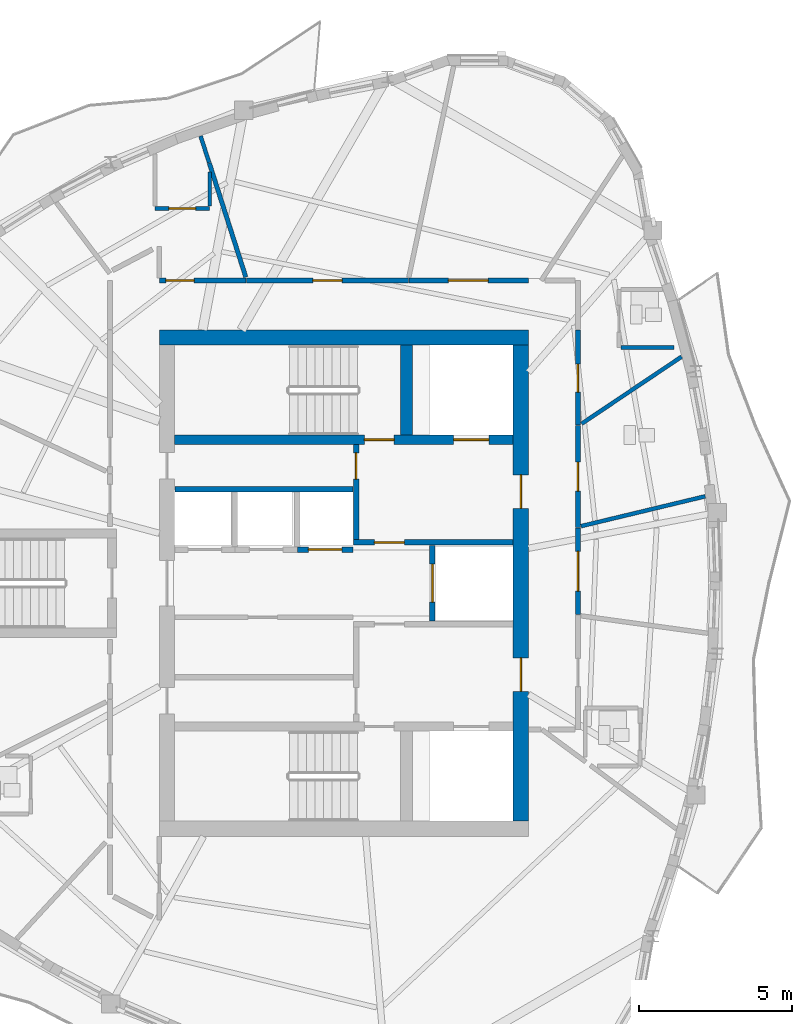
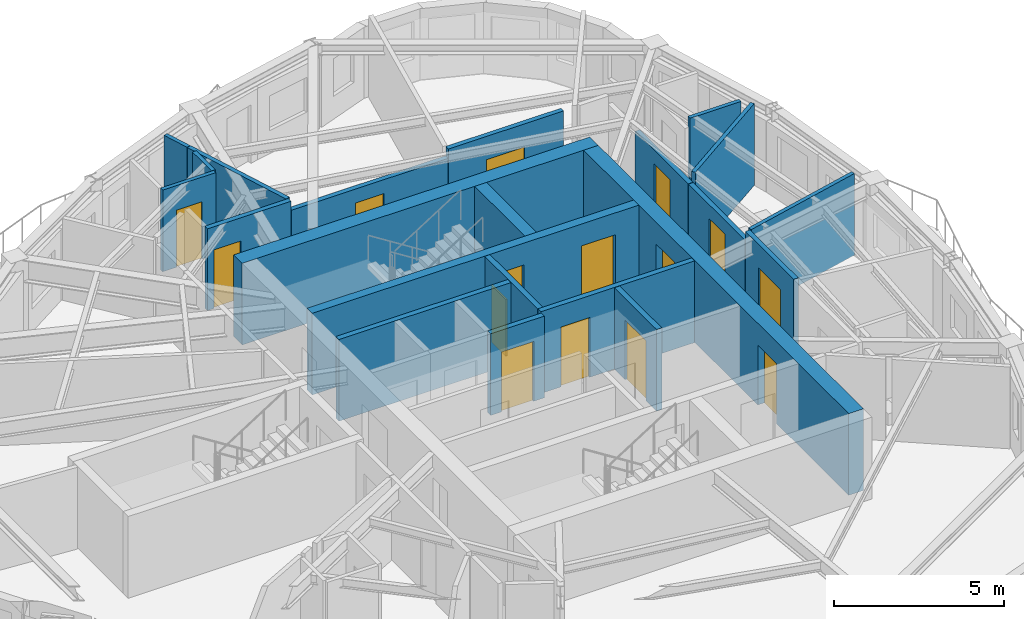
# One storey, part 6 of 12: 22 walls, 15 doors, 15 openings.
"""IFC4 building model written with IfcOpenShell, lengths in metres."""

from ifc_helpers import new_model, si_unit, direction, frame, frame_2d, origin, place, context, subcontext, project, spatial, rectangle, extrude, source, transform, mapped, material, layer, layer_set, type_object, element, fill, save


model = new_model("IFC4")

# Units and contexts
model_context = context("Model", 3, precision=1e-05, world=origin(), true_north=direction((0.0, 1.0)))
body_context = subcontext(model_context, "Body", "Model", "MODEL_VIEW")
ifc_project = project(units=[si_unit("LENGTHUNIT", "METRE"), si_unit("AREAUNIT", "SQUARE_METRE"), si_unit("VOLUMEUNIT", "CUBIC_METRE"), si_unit("PLANEANGLEUNIT", "RADIAN"), si_unit("MASSUNIT", "GRAM", prefix="KILO")], contexts=[model_context])

# Site, building, storey
site_placement = place(None, origin())
site = spatial("IfcSite", under=ifc_project, at=site_placement, CompositionType="ELEMENT")
building_placement = place(site_placement, origin())
building = spatial("IfcBuilding", under=site, at=building_placement, Name="Qafzar Sky-Pleat Residences", CompositionType="ELEMENT")
storey_placement = place(building_placement, frame((0.0, 0.0, 202.0)))
storey = spatial("IfcBuildingStorey", under=building, at=storey_placement, Name="L60", CompositionType="ELEMENT", Elevation=202.0)

# Wall, opening, door
ifc_material_1 = material(Name="Acoustic gypsum plasterboard partition", Category="gypsum")
ifc_layer_1 = layer(ifc_material_1, 0.159912109375)
ifc_layer_set_1 = layer_set([ifc_layer_1], Name="Acoustic gypsum plasterboard partition")
wall_type_1 = type_object("IfcWallType", Name="PART-COR-160", PredefinedType="PARTITIONING", material=ifc_layer_set_1)
wall_1_placement = place(storey_placement, frame((27.156005859375, 35.919921875, 0.0), z_axis=(0.0, 0.0, 1.0), x_axis=(1.0, 0.0, 0.0)))
wall_1 = element("IfcWall", 1, at=wall_1_placement, inside=storey, type_object=wall_type_1, Name="L60 Partition Wall PART-L60-PW-001", PredefinedType="PARTITIONING", context=body_context, shape_type="SweptSolid", body=[
    extrude(rectangle(XDim=5.31591796875, YDim=0.159912109375, at=frame_2d((2.657958984375, 0.0))), origin(), (0.0, 0.0, 1.0), 2.60302734375),
])
opening_1_placement = place(wall_1_placement, frame((2.177978515625, 0.0, 0.0)))
opening_1 = element("IfcOpeningElement", 2, at=opening_1_placement, cuts=wall_1, Name="Opening ID-06", PredefinedType="OPENING", context=body_context, shape_type="SweptSolid", body=[
    extrude(rectangle(XDim=0.9599609375, YDim=2.10009765625, at=frame_2d((0.47998046875, 1.050048828125))), frame((0.0, 0.08984375, 0.0), z_axis=(0.0, -1.0, 0.0), x_axis=(1.0, 0.0, 0.0)), (0.0, 0.0, 1.0), 0.179931640625),
])
ifc_material_2 = material(Name="Timber-faced fire door", Category="wood")
door_type_1 = type_object("IfcDoorType", Name="DR-STD-960", OperationType="NOTDEFINED", PredefinedType="DOOR", material=ifc_material_2)
shared_shape_1 = source(origin(), body_context, "Body", "SweptSolid", [
    extrude(rectangle(XDim=0.9599609375, YDim=2.10009765625, at=frame_2d((0.47998046875, 1.050048828125))), frame((0.0, 0.02490234375, 0.0), z_axis=(0.0, -1.0, 0.0), x_axis=(1.0, 0.0, 0.0)), (0.0, 0.0, 1.0), 0.050048828125),
])
door_1_placement = place(opening_1_placement, origin())
door_1 = element("IfcDoor", 3, at=door_1_placement, inside=storey, type_object=door_type_1, Name="L60 Music Practice Room Door", OperationType="SINGLE_SWING_RIGHT", OverallHeight=2.10009765625, OverallWidth=0.9599609375, PredefinedType="DOOR", context=body_context, shape_type="MappedRepresentation", body=[
    mapped(shared_shape_1, transform((0.0, 0.0, 0.0), x_axis=(1.0, 0.0, 0.0), y_axis=(0.0, 1.0, 0.0), z_axis=(0.0, 0.0, 1.0), scale=1.0)),
])
fill(opening_1, door_1)

wall_2_placement = place(storey_placement, frame((32.487060546875, 35.919921875, 0.0), z_axis=(0.0, 0.0, 1.0), x_axis=(1.0, 0.0, 0.0)))
wall_2 = element("IfcWall", 4, at=wall_2_placement, inside=storey, type_object=wall_type_1, Name="L60 Partition Wall PART-L60-PW-004", PredefinedType="PARTITIONING", context=body_context, shape_type="SweptSolid", body=[
    extrude(rectangle(XDim=3.912841796875, YDim=0.159912109375, at=frame_2d((1.95654296875, 0.0))), origin(), (0.0, 0.0, 1.0), 2.93505859375),
])
opening_2_placement = place(wall_2_placement, frame((1.291015625, 0.0, 0.0)))
opening_2 = element("IfcOpeningElement", 5, at=opening_2_placement, cuts=wall_2, Name="Opening ID-05", PredefinedType="OPENING", context=body_context, shape_type="SweptSolid", body=[
    extrude(rectangle(XDim=1.300048828125, YDim=2.10009765625, at=frame_2d((0.64990234375, 1.050048828125))), frame((0.0, 0.08984375, 0.0), z_axis=(0.0, -1.0, 0.0), x_axis=(1.0, 0.0, 0.0)), (0.0, 0.0, 1.0), 0.179931640625),
])
door_type_2 = type_object("IfcDoorType", Name="DR-LNG-1300", OperationType="DOUBLE_DOOR_SINGLE_SWING", PredefinedType="DOOR", material=ifc_material_2)
shared_shape_2 = source(origin(), body_context, "Body", "SweptSolid", [
    extrude(rectangle(XDim=1.300048828125, YDim=2.10009765625, at=frame_2d((0.64990234375, 1.050048828125))), frame((0.0, 0.02490234375, 0.0), z_axis=(0.0, -1.0, 0.0), x_axis=(1.0, 0.0, 0.0)), (0.0, 0.0, 1.0), 0.050048828125),
])
door_2_placement = place(opening_2_placement, origin())
door_2 = element("IfcDoor", 6, at=door_2_placement, inside=storey, type_object=door_type_2, Name="L60 Co-Living Lounge Door", OperationType="DOUBLE_DOOR_SINGLE_SWING", OverallHeight=2.10009765625, OverallWidth=1.300048828125, PredefinedType="DOOR", context=body_context, shape_type="MappedRepresentation", body=[
    mapped(shared_shape_2, transform((0.0, 0.0, 0.0), x_axis=(1.0, 0.0, 0.0), y_axis=(0.0, 1.0, 0.0), z_axis=(0.0, 0.0, 1.0), scale=1.0)),
])
fill(opening_2, door_2)

wall_3_placement = place(storey_placement, frame((38.02001953125, 31.160888671875, 0.0), z_axis=(0.0, 0.0, 1.0), x_axis=(0.0, -1.0, 0.0)))
wall_3 = element("IfcWall", 7, at=wall_3_placement, inside=storey, type_object=wall_type_1, Name="L60 Partition Wall PART-L60-PW-006", PredefinedType="PARTITIONING", context=body_context, shape_type="SweptSolid", body=[
    extrude(rectangle(XDim=3.3330078125, YDim=0.159912109375, at=frame_2d((1.66650390625, 0.0))), origin(), (0.0, 0.0, 1.0), 2.60302734375),
])
opening_3_placement = place(wall_3_placement, frame((1.193115234375, 0.0, 0.0)))
opening_3 = element("IfcOpeningElement", 8, at=opening_3_placement, cuts=wall_3, Name="Opening ID-08", PredefinedType="OPENING", context=body_context, shape_type="SweptSolid", body=[
    extrude(rectangle(XDim=0.949951171875, YDim=2.10009765625, at=frame_2d((0.47509765625, 1.050048828125))), frame((0.0, 0.08984375, 0.0), z_axis=(0.0, -1.0, 0.0), x_axis=(1.0, 0.0, 0.0)), (0.0, 0.0, 1.0), 0.179931640625),
])
door_type_3 = type_object("IfcDoorType", Name="DR-AWC-950", OperationType="NOTDEFINED", PredefinedType="DOOR", material=ifc_material_2)
shared_shape_3 = source(origin(), body_context, "Body", "SweptSolid", [
    extrude(rectangle(XDim=0.949951171875, YDim=2.10009765625, at=frame_2d((0.47509765625, 1.050048828125))), frame((0.0, 0.02490234375, 0.0), z_axis=(0.0, -1.0, 0.0), x_axis=(1.0, 0.0, 0.0)), (0.0, 0.0, 1.0), 0.050048828125),
])
door_3_placement = place(opening_3_placement, origin())
door_3 = element("IfcDoor", 9, at=door_3_placement, inside=storey, type_object=door_type_3, Name="L60 Accessible Shared Washroom Door", OperationType="SINGLE_SWING_RIGHT", OverallHeight=2.10009765625, OverallWidth=0.949951171875, PredefinedType="DOOR", context=body_context, shape_type="MappedRepresentation", body=[
    mapped(shared_shape_3, transform((0.0, 0.0, 0.0), x_axis=(1.0, 0.0, 0.0), y_axis=(0.0, 1.0, 0.0), z_axis=(0.0, 0.0, 1.0), scale=1.0)),
])
fill(opening_3, door_3)

wall_4_placement = place(storey_placement, frame((38.02001953125, 34.300048828125, 0.0), z_axis=(0.0, 0.0, 1.0), x_axis=(0.0, -1.0, 0.0)))
wall_4 = element("IfcWall", 10, at=wall_4_placement, inside=storey, type_object=wall_type_1, Name="L60 Partition Wall PART-L60-PW-007", PredefinedType="PARTITIONING", context=body_context, shape_type="SweptSolid", body=[
    extrude(rectangle(XDim=3.1240234375, YDim=0.159912109375, at=frame_2d((1.56201171875, 0.0))), origin(), (0.0, 0.0, 1.0), 2.60302734375),
])
opening_4_placement = place(wall_4_placement, frame((1.118408203125, 0.0, 0.0)))
opening_4 = element("IfcOpeningElement", 11, at=opening_4_placement, cuts=wall_4, Name="Opening ID-04", PredefinedType="OPENING", context=body_context, shape_type="SweptSolid", body=[
    extrude(rectangle(XDim=0.919921875, YDim=2.10009765625, at=frame_2d((0.4599609375, 1.050048828125))), frame((0.0, 0.08984375, 0.0), z_axis=(0.0, -1.0, 0.0), x_axis=(1.0, 0.0, 0.0)), (0.0, 0.0, 1.0), 0.179931640625),
])
door_type_4 = type_object("IfcDoorType", Name="DR-BED-920", OperationType="NOTDEFINED", PredefinedType="DOOR", material=ifc_material_2)
shared_shape_4 = source(origin(), body_context, "Body", "SweptSolid", [
    extrude(rectangle(XDim=0.919921875, YDim=2.10009765625, at=frame_2d((0.4599609375, 1.050048828125))), frame((0.0, 0.02490234375, 0.0), z_axis=(0.0, -1.0, 0.0), x_axis=(1.0, 0.0, 0.0)), (0.0, 0.0, 1.0), 0.050048828125),
])
door_4_placement = place(opening_4_placement, origin())
door_4 = element("IfcDoor", 12, at=door_4_placement, inside=storey, type_object=door_type_4, Name="L60 Co-Living Bedroom 3 Door", OperationType="SINGLE_SWING_LEFT", OverallHeight=2.10009765625, OverallWidth=0.919921875, PredefinedType="DOOR", context=body_context, shape_type="MappedRepresentation", body=[
    mapped(shared_shape_4, transform((0.0, 0.0, 0.0), x_axis=(1.0, 0.0, 0.0), y_axis=(0.0, 1.0, 0.0), z_axis=(0.0, 0.0, 1.0), scale=1.0)),
])
fill(opening_4, door_4)

wall_5_placement = place(storey_placement, frame((24.300048828125, 35.919921875, 0.0), z_axis=(0.0, 0.0, 1.0), x_axis=(1.0, 0.0, 0.0)))
wall_5 = element("IfcWall", 13, at=wall_5_placement, inside=storey, type_object=wall_type_1, Name="L60 Partition Wall PART-L60-PW-008", PredefinedType="PARTITIONING", context=body_context, shape_type="SweptSolid", body=[
    extrude(rectangle(XDim=2.841064453125, YDim=0.159912109375, at=frame_2d((1.42041015625, 0.0))), origin(), (0.0, 0.0, 1.0), 2.93505859375),
])
opening_5_placement = place(wall_5_placement, frame((0.219970703125, 0.0, 0.0)))
opening_5 = element("IfcOpeningElement", 14, at=opening_5_placement, cuts=wall_5, Name="Opening ID-04", PredefinedType="OPENING", context=body_context, shape_type="SweptSolid", body=[
    extrude(rectangle(XDim=0.919921875, YDim=2.10009765625, at=frame_2d((0.4599609375, 1.050048828125))), frame((0.0, 0.08984375, 0.0), z_axis=(0.0, -1.0, 0.0), x_axis=(1.0, 0.0, 0.0)), (0.0, 0.0, 1.0), 0.179931640625),
])
door_5_placement = place(opening_5_placement, origin())
door_5 = element("IfcDoor", 15, at=door_5_placement, inside=storey, type_object=door_type_4, Name="L60 Co-Living Bedroom 4 Door", OperationType="SINGLE_SWING_RIGHT", OverallHeight=2.10009765625, OverallWidth=0.919921875, PredefinedType="DOOR", context=body_context, shape_type="MappedRepresentation", body=[
    mapped(shared_shape_4, transform((0.0, 0.0, 0.0), x_axis=(1.0, 0.0, 0.0), y_axis=(0.0, 1.0, 0.0), z_axis=(0.0, 0.0, 1.0), scale=1.0)),
])
fill(opening_5, door_5)

wall_6_placement = place(storey_placement, frame((38.02001953125, 27.81298828125, 0.0), z_axis=(0.0, 0.0, 1.0), x_axis=(0.0, -1.0, 0.0)))
wall_6 = element("IfcWall", 16, at=wall_6_placement, inside=storey, type_object=wall_type_1, Name="L60 Partition Wall PART-L60-PW-009", PredefinedType="PARTITIONING", context=body_context, shape_type="SweptSolid", body=[
    extrude(rectangle(XDim=2.8388671875, YDim=0.159912109375, at=frame_2d((1.41943359375, 0.0))), origin(), (0.0, 0.0, 1.0), 2.93505859375),
])
opening_6_placement = place(wall_6_placement, frame((0.77001953125, 0.0, 0.0)))
opening_6 = element("IfcOpeningElement", 17, at=opening_6_placement, cuts=wall_6, Name="Opening ID-05", PredefinedType="OPENING", context=body_context, shape_type="SweptSolid", body=[
    extrude(rectangle(XDim=1.300048828125, YDim=2.10009765625, at=frame_2d((0.64990234375, 1.050048828125))), frame((0.0, 0.08984375, 0.0), z_axis=(0.0, -1.0, 0.0), x_axis=(1.0, 0.0, 0.0)), (0.0, 0.0, 1.0), 0.179931640625),
])
door_6_placement = place(opening_6_placement, origin())
door_6 = element("IfcDoor", 18, at=door_6_placement, inside=storey, type_object=door_type_2, Name="L60 Communal Kitchen Door", OperationType="DOUBLE_DOOR_SINGLE_SWING", OverallHeight=2.10009765625, OverallWidth=1.300048828125, PredefinedType="DOOR", context=body_context, shape_type="MappedRepresentation", body=[
    mapped(shared_shape_2, transform((0.0, 0.0, 0.0), x_axis=(1.0, 0.0, 0.0), y_axis=(0.0, 1.0, 0.0), z_axis=(0.0, 0.0, 1.0), scale=1.0)),
])
fill(opening_6, door_6)

ifc_material_3 = material(Name="Concrete blockwork partition", Category="masonry")
ifc_layer_2 = layer(ifc_material_3, 0.179931640625)
ifc_layer_set_2 = layer_set([ifc_layer_2], Name="Concrete blockwork partition")
wall_type_2 = type_object("IfcWallType", Name="PART-SHAFT-180", PredefinedType="PARTITIONING", material=ifc_layer_set_2)
wall_7_placement = place(storey_placement, frame((30.75, 27.429931640625, 0.0), z_axis=(0.0, 0.0, 1.0), x_axis=(0.0, 1.0, 0.0)))
wall_7 = element("IfcWall", 19, at=wall_7_placement, inside=storey, type_object=wall_type_2, Name="L60 Partition Wall PART-L60-FFL2-W", PredefinedType="PARTITIONING", context=body_context, shape_type="SweptSolid", body=[
    extrude(rectangle(XDim=3.110107421875, YDim=0.179931640625, at=frame_2d((1.55517578125, 0.0))), origin(), (0.0, 0.0, 1.0), 2.93505859375),
])
opening_7_placement = place(wall_7_placement, frame((1.97998046875, 0.0, 0.0)))
opening_7 = element("IfcOpeningElement", 20, at=opening_7_placement, cuts=wall_7, Name="Opening ID-09", PredefinedType="OPENING", context=body_context, shape_type="SweptSolid", body=[
    extrude(rectangle(XDim=0.860107421875, YDim=2.050048828125, at=frame_2d((0.43017578125, 1.02490234375))), frame((0.0, 0.10009765625, 0.0), z_axis=(0.0, -1.0, 0.0), x_axis=(1.0, 0.0, 0.0)), (0.0, 0.0, 1.0), 0.199951171875),
])
door_type_5 = type_object("IfcDoorType", Name="DR-SVC-860", OperationType="NOTDEFINED", PredefinedType="DOOR", material=ifc_material_2)
shared_shape_5 = source(origin(), body_context, "Body", "SweptSolid", [
    extrude(rectangle(XDim=0.860107421875, YDim=2.050048828125, at=frame_2d((0.43017578125, 1.02490234375))), frame((0.0, 0.02490234375, 0.0), z_axis=(0.0, -1.0, 0.0), x_axis=(1.0, 0.0, 0.0)), (0.0, 0.0, 1.0), 0.050048828125),
])
door_7_placement = place(opening_7_placement, origin())
door_7 = element("IfcDoor", 21, at=door_7_placement, inside=storey, type_object=door_type_5, Name="L60 North Core Cupboard Door", OperationType="SINGLE_SWING_LEFT", OverallHeight=2.050048828125, OverallWidth=0.860107421875, PredefinedType="DOOR", context=body_context, shape_type="MappedRepresentation", body=[
    mapped(shared_shape_5, transform((0.0, 0.0, 0.0), x_axis=(1.0, 0.0, 0.0), y_axis=(0.0, 1.0, 0.0), z_axis=(0.0, 0.0, 1.0), scale=1.0)),
])
fill(opening_7, door_7)

wall_8_placement = place(storey_placement, frame((30.669921875, 27.340087890625, 0.0), z_axis=(0.0, 0.0, 1.0), x_axis=(1.0, 0.0, 0.0)))
wall_8 = element("IfcWall", 22, at=wall_8_placement, inside=storey, type_object=wall_type_2, Name="L60 Partition Wall PART-L60-FFL2-S", PredefinedType="PARTITIONING", context=body_context, shape_type="SweptSolid", body=[
    extrude(rectangle(XDim=5.219970703125, YDim=0.179931640625, at=frame_2d((2.60986328125, 0.0))), origin(), (0.0, 0.0, 1.0), 2.93505859375),
])
opening_8_placement = place(wall_8_placement, frame((0.679931640625, 0.0, 0.0)))
opening_8 = element("IfcOpeningElement", 23, at=opening_8_placement, cuts=wall_8, Name="Opening ID-01", PredefinedType="OPENING", context=body_context, shape_type="SweptSolid", body=[
    extrude(rectangle(XDim=0.97998046875, YDim=2.14990234375, at=frame_2d((0.489990234375, 1.074951171875))), frame((0.0, 0.10009765625, 0.0), z_axis=(0.0, -1.0, 0.0), x_axis=(1.0, 0.0, 0.0)), (0.0, 0.0, 1.0), 0.199951171875),
])
door_type_6 = type_object("IfcDoorType", Name="DR-STAIR-980", OperationType="NOTDEFINED", PredefinedType="DOOR", material=ifc_material_2)
shared_shape_6 = source(origin(), body_context, "Body", "SweptSolid", [
    extrude(rectangle(XDim=0.97998046875, YDim=2.14990234375, at=frame_2d((0.489990234375, 1.074951171875))), frame((0.0, 0.02490234375, 0.0), z_axis=(0.0, -1.0, 0.0), x_axis=(1.0, 0.0, 0.0)), (0.0, 0.0, 1.0), 0.050048828125),
])
door_8_placement = place(opening_8_placement, origin())
door_8 = element("IfcDoor", 24, at=door_8_placement, inside=storey, type_object=door_type_6, Name="L60 Lift Lobby to North Firefighting Lobby Door", OperationType="SINGLE_SWING_RIGHT", OverallHeight=2.14990234375, OverallWidth=0.97998046875, PredefinedType="DOOR", context=body_context, shape_type="MappedRepresentation", body=[
    mapped(shared_shape_6, transform((0.0, 0.0, 0.0), x_axis=(1.0, 0.0, 0.0), y_axis=(0.0, 1.0, 0.0), z_axis=(0.0, 0.0, 1.0), scale=1.0)),
])
fill(opening_8, door_8)

wall_9_placement = place(storey_placement, frame((33.25, 24.760009765625, 0.0), z_axis=(0.0, 0.0, 1.0), x_axis=(0.0, 1.0, 0.0)))
wall_9 = element("IfcWall", 25, at=wall_9_placement, inside=storey, type_object=wall_type_2, Name="L60 Partition Wall PART-L60-SV1-W", PredefinedType="PARTITIONING", context=body_context, shape_type="SweptSolid", body=[
    extrude(rectangle(XDim=2.47998046875, YDim=0.179931640625, at=frame_2d((1.239990234375, 0.0))), origin(), (0.0, 0.0, 1.0), 2.93505859375),
])
opening_9_placement = place(wall_9_placement, frame((0.614990234375, 0.0, 0.0)))
opening_9 = element("IfcOpeningElement", 26, at=opening_9_placement, cuts=wall_9, Name="Opening LD-03", PredefinedType="OPENING", context=body_context, shape_type="SweptSolid", body=[
    extrude(rectangle(XDim=1.25, YDim=2.14990234375, at=frame_2d((0.625, 1.074951171875))), frame((0.0, 0.10009765625, 0.0), z_axis=(0.0, -1.0, 0.0), x_axis=(1.0, 0.0, 0.0)), (0.0, 0.0, 1.0), 0.199951171875),
])
ifc_material_4 = material(Name="Stainless steel sliding landing door", Category="steel")
door_type_7 = type_object("IfcDoorType", Name="DR-LIFT-SV", OperationType="DOUBLE_DOOR_SLIDING", PredefinedType="DOOR", material=ifc_material_4)
shared_shape_7 = source(origin(), body_context, "Body", "SweptSolid", [
    extrude(rectangle(XDim=1.25, YDim=2.14990234375, at=frame_2d((0.625, 1.074951171875))), frame((0.0, 0.02490234375, 0.0), z_axis=(0.0, -1.0, 0.0), x_axis=(1.0, 0.0, 0.0)), (0.0, 0.0, 1.0), 0.050048828125),
])
door_9_placement = place(opening_9_placement, origin())
door_9 = element("IfcDoor", 27, at=door_9_placement, inside=storey, type_object=door_type_7, Name="L60 Service Lift SV1 Landing Door", OperationType="DOUBLE_DOOR_SLIDING", OverallHeight=2.14990234375, OverallWidth=1.25, PredefinedType="DOOR", context=body_context, shape_type="MappedRepresentation", body=[
    mapped(shared_shape_7, transform((0.0, 0.0, 0.0), x_axis=(1.0, 0.0, 0.0), y_axis=(0.0, 1.0, 0.0), z_axis=(0.0, 0.0, 1.0), scale=1.0)),
])
fill(opening_9, door_9)

# Wall
wall_10_placement = place(storey_placement, frame((24.81005859375, 29.080078125, 0.0), z_axis=(0.0, 0.0, 1.0), x_axis=(1.0, 0.0, 0.0)))
element("IfcWall", 28, at=wall_10_placement, inside=storey, type_object=wall_type_2, Name="L60 Partition Wall PART-L60-P46-N", PredefinedType="PARTITIONING", context=body_context, shape_type="SweptSolid", body=[
    extrude(rectangle(XDim=5.83984375, YDim=0.179931640625, at=frame_2d((2.919921875, 0.0))), origin(), (0.0, 0.0, 1.0), 2.93505859375),
])

# Wall, opening, door
wall_11_placement = place(storey_placement, frame((28.824951171875, 27.10009765625, 0.0), z_axis=(0.0, 0.0, 1.0), x_axis=(1.0, 0.0, 0.0)))
wall_11 = element("IfcWall", 29, at=wall_11_placement, inside=storey, type_object=wall_type_2, Name="L60 Partition Wall PART-L60-P6-S", PredefinedType="PARTITIONING", context=body_context, shape_type="SweptSolid", body=[
    extrude(rectangle(XDim=1.824951171875, YDim=0.179931640625, at=frame_2d((0.91259765625, 0.0))), origin(), (0.0, 0.0, 1.0), 2.93505859375),
])
opening_10_placement = place(wall_11_placement, frame((0.362548828125, 0.0, 0.0)))
opening_10 = element("IfcOpeningElement", 30, at=opening_10_placement, cuts=wall_11, Name="Opening LD-01", PredefinedType="OPENING", context=body_context, shape_type="SweptSolid", body=[
    extrude(rectangle(XDim=1.10009765625, YDim=2.14990234375, at=frame_2d((0.550048828125, 1.074951171875))), frame((0.0, 0.10009765625, 0.0), z_axis=(0.0, -1.0, 0.0), x_axis=(1.0, 0.0, 0.0)), (0.0, 0.0, 1.0), 0.199951171875),
])
door_type_8 = type_object("IfcDoorType", Name="DR-LIFT-P", OperationType="DOUBLE_DOOR_SLIDING", PredefinedType="DOOR", material=ifc_material_4)
shared_shape_8 = source(origin(), body_context, "Body", "SweptSolid", [
    extrude(rectangle(XDim=1.10009765625, YDim=2.14990234375, at=frame_2d((0.550048828125, 1.074951171875))), frame((0.0, 0.02490234375, 0.0), z_axis=(0.0, -1.0, 0.0), x_axis=(1.0, 0.0, 0.0)), (0.0, 0.0, 1.0), 0.050048828125),
])
door_10_placement = place(opening_10_placement, origin())
door_10 = element("IfcDoor", 31, at=door_10_placement, inside=storey, type_object=door_type_8, Name="L60 Passenger Lift P6 Landing Door", OperationType="DOUBLE_DOOR_SLIDING", OverallHeight=2.14990234375, OverallWidth=1.10009765625, PredefinedType="DOOR", context=body_context, shape_type="MappedRepresentation", body=[
    mapped(shared_shape_8, transform((0.0, 0.0, 0.0), x_axis=(1.0, 0.0, 0.0), y_axis=(0.0, 1.0, 0.0), z_axis=(0.0, 0.0, 1.0), scale=1.0)),
])
fill(opening_10, door_10)

# Wall
ifc_layer_3 = layer(ifc_material_1, 0.14501953125)
ifc_layer_set_3 = layer_set([ifc_layer_3], Name="Acoustic gypsum plasterboard partition")
wall_type_3 = type_object("IfcWallType", Name="PART-UNIT-145", PredefinedType="PARTITIONING", material=ifc_layer_set_3)
wall_12_placement = place(storey_placement, frame((25.93896484375, 39.76708984375, 0.0), z_axis=(0.0, 0.0, 1.0), x_axis=(0.305195538028, -0.952289705693, 0.0)))
element("IfcWall", 32, at=wall_12_placement, inside=storey, type_object=wall_type_3, Name="L60 Partition Wall PART-L60-PW-026", PredefinedType="PARTITIONING", context=body_context, shape_type="SweptSolid", body=[
    extrude(rectangle(XDim=3.924560546875, YDim=0.14501953125, at=frame_2d((1.96240234375, 0.0))), origin(), (0.0, 0.0, 1.0), 2.93505859375),
])

# Wall, opening, door
ifc_material_5 = material(Name="Moisture-resistant gypsum partition", Category="gypsum")
ifc_layer_4 = layer(ifc_material_5, 0.1298828125)
ifc_layer_set_4 = layer_set([ifc_layer_4], Name="Moisture-resistant gypsum partition")
wall_type_4 = type_object("IfcWallType", Name="PART-WET-130", PredefinedType="PARTITIONING", material=ifc_layer_set_4)
wall_13_placement = place(storey_placement, frame((24.154052734375, 38.281982421875, 0.0), z_axis=(0.0, 0.0, 1.0), x_axis=(1.0, 0.0, 0.0)))
wall_13 = element("IfcWall", 33, at=wall_13_placement, inside=storey, type_object=wall_type_4, Name="L60 Partition Wall PART-L60-PW-016", PredefinedType="PARTITIONING", context=body_context, shape_type="SweptSolid", body=[
    extrude(rectangle(XDim=1.800048828125, YDim=0.1298828125, at=frame_2d((0.89990234375, 0.0))), origin(), (0.0, 0.0, 1.0), 2.93505859375),
])
opening_11_placement = place(wall_13_placement, frame((0.4599609375, 0.0, 0.0)))
opening_11 = element("IfcOpeningElement", 34, at=opening_11_placement, cuts=wall_13, Name="Opening ID-07", PredefinedType="OPENING", context=body_context, shape_type="SweptSolid", body=[
    extrude(rectangle(XDim=0.8798828125, YDim=2.050048828125, at=frame_2d((0.43994140625, 1.02490234375))), frame((0.0, 0.074951171875, 0.0), z_axis=(0.0, -1.0, 0.0), x_axis=(1.0, 0.0, 0.0)), (0.0, 0.0, 1.0), 0.14990234375),
])
door_type_9 = type_object("IfcDoorType", Name="DR-WET-880", OperationType="NOTDEFINED", PredefinedType="DOOR", material=ifc_material_2)
shared_shape_9 = source(origin(), body_context, "Body", "SweptSolid", [
    extrude(rectangle(XDim=0.8798828125, YDim=2.050048828125, at=frame_2d((0.43994140625, 1.02490234375))), frame((0.0, 0.02490234375, 0.0), z_axis=(0.0, -1.0, 0.0), x_axis=(1.0, 0.0, 0.0)), (0.0, 0.0, 1.0), 0.050048828125),
])
door_11_placement = place(opening_11_placement, origin())
door_11 = element("IfcDoor", 35, at=door_11_placement, inside=storey, type_object=door_type_9, Name="L60 En-suite Bathroom 4 Door", OperationType="SINGLE_SWING_LEFT", OverallHeight=2.050048828125, OverallWidth=0.8798828125, PredefinedType="DOOR", context=body_context, shape_type="MappedRepresentation", body=[
    mapped(shared_shape_9, transform((0.0, 0.0, 0.0), x_axis=(1.0, 0.0, 0.0), y_axis=(0.0, 1.0, 0.0), z_axis=(0.0, 0.0, 1.0), scale=1.0)),
])
fill(opening_11, door_11)

# Walls
wall_14_placement = place(storey_placement, frame((38.123046875, 27.867919921875, 0.0), z_axis=(0.0, 0.0, 1.0), x_axis=(0.972302502293, 0.233726002051, 0.0)))
element("IfcWall", 36, at=wall_14_placement, inside=storey, type_object=wall_type_4, Name="L60 Partition Wall PART-L60-PW-023", PredefinedType="PARTITIONING", context=body_context, shape_type="SweptSolid", body=[
    extrude(rectangle(XDim=4.1845703125, YDim=0.1298828125, at=frame_2d((2.09228515625, 0.0))), origin(), (0.0, 0.0, 1.0), 2.93505859375),
])
wall_15_placement = place(storey_placement, frame((38.142822265625, 31.225341796875, 0.0), z_axis=(0.0, 0.0, 1.0), x_axis=(0.830560844451, 0.556927898084, 0.0)))
element("IfcWall", 37, at=wall_15_placement, inside=storey, type_object=wall_type_4, Name="L60 Partition Wall PART-L60-PW-025", PredefinedType="PARTITIONING", context=body_context, shape_type="SweptSolid", body=[
    extrude(rectangle(XDim=3.94189453125, YDim=0.1298828125, at=frame_2d((1.970947265625, 0.0))), origin(), (0.0, 0.0, 1.0), 2.93505859375),
])
wall_16_placement = place(storey_placement, frame((39.43701171875, 33.717041015625, 0.0), z_axis=(0.0, 0.0, 1.0), x_axis=(1.0, 0.0, 0.0)))
element("IfcWall", 38, at=wall_16_placement, inside=storey, type_object=wall_type_4, Name="L60 Partition Wall PART-L60-PW-033", PredefinedType="PARTITIONING", context=body_context, shape_type="SweptSolid", body=[
    extrude(rectangle(XDim=1.72705078125, YDim=0.1298828125, at=frame_2d((0.863525390625, 0.0))), origin(), (0.0, 0.0, 1.0), 2.93505859375),
])
wall_17_placement = place(storey_placement, frame((25.9541015625, 38.35498046875, 0.0), z_axis=(0.0, 0.0, 1.0), x_axis=(0.0, 1.0, 0.0)))
element("IfcWall", 39, at=wall_17_placement, inside=storey, type_object=wall_type_4, Name="L60 Partition Wall PART-L60-PW-044", PredefinedType="PARTITIONING", context=body_context, shape_type="SweptSolid", body=[
    extrude(rectangle(XDim=1.125, YDim=0.1298828125, at=frame_2d((0.5625, 0.0))), origin(), (0.0, 0.0, 1.0), 2.93505859375),
])
wall_18_placement = place(storey_placement, frame((25.655029296875, 40.65234375, 0.0), z_axis=(0.0, 0.0, 1.0), x_axis=(0.305317972149, -0.952250458589, 0.0)))
element("IfcWall", 40, at=wall_18_placement, inside=storey, type_object=wall_type_4, Name="L60 Partition Wall PART-L60-PW-050", PredefinedType="PARTITIONING", context=body_context, shape_type="SweptSolid", body=[
    extrude(rectangle(XDim=0.914794921875, YDim=0.1298828125, at=frame_2d((0.45751953125, 0.0))), origin(), (0.0, 0.0, 1.0), 2.93505859375),
])

# Wall, openings, doors
ifc_material_6 = material(Name="Concrete C60/75", Category="concrete")
ifc_layer_5 = layer(ifc_material_6, 0.300048828125)
ifc_layer_set_5 = layer_set([ifc_layer_5], Name="Concrete C60/75")
wall_type_5 = type_object("IfcWallType", Name="WALL-SHEAR-300", PredefinedType="SHEAR", material=ifc_layer_set_5)
wall_19_placement = place(storey_placement, frame((24.800048828125, 30.699951171875, 0.0), z_axis=(0.0, 0.0, 1.0), x_axis=(1.0, 0.0, 0.0)))
wall_19 = element("IfcWall", 41, at=wall_19_placement, inside=storey, type_object=wall_type_5, Name="L60 Stair ST2 and FF2 Shaft South Wall", PredefinedType="SHEAR", context=body_context, shape_type="SweptSolid", body=[
    extrude(rectangle(XDim=11.099853515625, YDim=0.300048828125, at=frame_2d((5.5498046875, 0.0))), origin(), (0.0, 0.0, 1.0), 2.93505859375),
])
opening_12_placement = place(wall_19_placement, frame((6.219970703125, 0.0, 0.0)))
opening_12 = element("IfcOpeningElement", 42, at=opening_12_placement, cuts=wall_19, Name="Opening ID-01", PredefinedType="OPENING", context=body_context, shape_type="SweptSolid", body=[
    extrude(rectangle(XDim=0.97998046875, YDim=2.14990234375, at=frame_2d((0.489990234375, 1.074951171875))), frame((0.0, 0.16015625, 0.0), z_axis=(0.0, -1.0, 0.0), x_axis=(1.0, 0.0, 0.0)), (0.0, 0.0, 1.0), 0.320068359375),
])
opening_13_placement = place(wall_19_placement, frame((9.14990234375, 0.0, 0.0)))
opening_13 = element("IfcOpeningElement", 43, at=opening_13_placement, cuts=wall_19, Name="Opening LD-02", PredefinedType="OPENING", context=body_context, shape_type="SweptSolid", body=[
    extrude(rectangle(XDim=1.14990234375, YDim=2.14990234375, at=frame_2d((0.574951171875, 1.074951171875))), frame((0.0, 0.16015625, 0.0), z_axis=(0.0, -1.0, 0.0), x_axis=(1.0, 0.0, 0.0)), (0.0, 0.0, 1.0), 0.320068359375),
])
door_12_placement = place(opening_12_placement, origin())
door_12 = element("IfcDoor", 44, at=door_12_placement, inside=storey, type_object=door_type_6, Name="L60 Stair ST2 Fire Door", OperationType="SINGLE_SWING_LEFT", OverallHeight=2.14990234375, OverallWidth=0.97998046875, PredefinedType="DOOR", context=body_context, shape_type="MappedRepresentation", body=[
    mapped(shared_shape_6, transform((0.0, 0.0, 0.0), x_axis=(1.0, 0.0, 0.0), y_axis=(0.0, 1.0, 0.0), z_axis=(0.0, 0.0, 1.0), scale=1.0)),
])
fill(opening_12, door_12)
door_type_10 = type_object("IfcDoorType", Name="DR-LIFT-FF", OperationType="DOUBLE_DOOR_SLIDING", PredefinedType="DOOR", material=ifc_material_4)
shared_shape_10 = source(origin(), body_context, "Body", "SweptSolid", [
    extrude(rectangle(XDim=1.14990234375, YDim=2.14990234375, at=frame_2d((0.574951171875, 1.074951171875))), frame((0.0, 0.02490234375, 0.0), z_axis=(0.0, -1.0, 0.0), x_axis=(1.0, 0.0, 0.0)), (0.0, 0.0, 1.0), 0.050048828125),
])
door_13_placement = place(opening_13_placement, origin())
door_13 = element("IfcDoor", 45, at=door_13_placement, inside=storey, type_object=door_type_10, Name="L60 Firefighting Lift FF2 Landing Door", OperationType="DOUBLE_DOOR_SLIDING", OverallHeight=2.14990234375, OverallWidth=1.14990234375, PredefinedType="DOOR", context=body_context, shape_type="MappedRepresentation", body=[
    mapped(shared_shape_10, transform((0.0, 0.0, 0.0), x_axis=(1.0, 0.0, 0.0), y_axis=(0.0, 1.0, 0.0), z_axis=(0.0, 0.0, 1.0), scale=1.0)),
])
fill(opening_13, door_13)

# Walls
ifc_layer_6 = layer(ifc_material_6, 0.39990234375)
ifc_layer_set_6 = layer_set([ifc_layer_6], Name="Concrete C60/75")
wall_type_6 = type_object("IfcWallType", Name="WALL-SHEAR-400", PredefinedType="SHEAR", material=ifc_layer_set_6)
wall_20_placement = place(storey_placement, frame((32.39990234375, 30.85009765625, 0.0), z_axis=(0.0, 0.0, 1.0), x_axis=(0.0, 1.0, 0.0)))
element("IfcWall", 46, at=wall_20_placement, inside=storey, type_object=wall_type_6, Name="L60 Stair ST2 East Dividing Wall", PredefinedType="SHEAR", context=body_context, shape_type="SweptSolid", body=[
    extrude(rectangle(XDim=2.949951171875, YDim=0.39990234375, at=frame_2d((1.47509765625, 0.0))), origin(), (0.0, 0.0, 1.0), 2.93505859375),
])
ifc_layer_7 = layer(ifc_material_6, 0.5)
ifc_layer_set_7 = layer_set([ifc_layer_7], Name="Concrete C60/75")
wall_type_7 = type_object("IfcWallType", Name="WALL-SHEAR-500", PredefinedType="SHEAR", material=ifc_layer_set_7)
wall_21_placement = place(storey_placement, frame((36.39990234375, 34.050048828125, 0.0), z_axis=(0.0, 0.0, 1.0), x_axis=(-1.0, 0.0, 0.0)))
element("IfcWall", 47, at=wall_21_placement, inside=storey, type_object=wall_type_7, Name="L60 CORE wall N", PredefinedType="SHEAR", context=body_context, shape_type="SweptSolid", body=[
    extrude(rectangle(XDim=12.099853515625, YDim=0.5, at=frame_2d((6.0498046875, 0.0))), origin(), (0.0, 0.0, 1.0), 2.93505859375),
])

# Wall, openings, doors
wall_22_placement = place(storey_placement, frame((36.14990234375, 18.199951171875, 0.0), z_axis=(0.0, 0.0, 1.0), x_axis=(0.0, 1.0, 0.0)))
wall_22 = element("IfcWall", 48, at=wall_22_placement, inside=storey, type_object=wall_type_7, Name="L60 CORE wall E", PredefinedType="SHEAR", context=body_context, shape_type="SweptSolid", body=[
    extrude(rectangle(XDim=15.60009765625, YDim=0.5, at=frame_2d((7.800048828125, 0.0))), origin(), (0.0, 0.0, 1.0), 2.93505859375),
])
opening_14_placement = place(wall_22_placement, frame((4.25, 0.0, 0.0)))
opening_14 = element("IfcOpeningElement", 49, at=opening_14_placement, cuts=wall_22, Name="Opening ID-02", PredefinedType="OPENING", context=body_context, shape_type="SweptSolid", body=[
    extrude(rectangle(XDim=1.10009765625, YDim=2.14990234375, at=frame_2d((0.550048828125, 1.074951171875))), frame((0.0, 0.260009765625, 0.0), z_axis=(0.0, -1.0, 0.0), x_axis=(1.0, 0.0, 0.0)), (0.0, 0.0, 1.0), 0.52001953125),
])
opening_15_placement = place(wall_22_placement, frame((10.25, 0.0, 0.0)))
opening_15 = element("IfcOpeningElement", 50, at=opening_15_placement, cuts=wall_22, Name="Opening ID-02", PredefinedType="OPENING", context=body_context, shape_type="SweptSolid", body=[
    extrude(rectangle(XDim=1.10009765625, YDim=2.14990234375, at=frame_2d((0.550048828125, 1.074951171875))), frame((0.0, 0.260009765625, 0.0), z_axis=(0.0, -1.0, 0.0), x_axis=(1.0, 0.0, 0.0)), (0.0, 0.0, 1.0), 0.52001953125),
])
door_type_11 = type_object("IfcDoorType", Name="DR-FFL-1100", OperationType="NOTDEFINED", PredefinedType="DOOR", material=ifc_material_2)
door_14_placement = place(opening_14_placement, origin())
door_14 = element("IfcDoor", 51, at=door_14_placement, inside=storey, type_object=door_type_11, Name="L60 Firefighting Lobby South Corridor Door", OperationType="SINGLE_SWING_LEFT", OverallHeight=2.14990234375, OverallWidth=1.10009765625, PredefinedType="DOOR", context=body_context, shape_type="MappedRepresentation", body=[
    mapped(shared_shape_8, transform((0.0, 0.0, 0.0), x_axis=(1.0, 0.0, 0.0), y_axis=(0.0, 1.0, 0.0), z_axis=(0.0, 0.0, 1.0), scale=1.0)),
])
fill(opening_14, door_14)
door_15_placement = place(opening_15_placement, origin())
door_15 = element("IfcDoor", 52, at=door_15_placement, inside=storey, type_object=door_type_11, Name="L60 Firefighting Lobby North Corridor Door", OperationType="SINGLE_SWING_RIGHT", OverallHeight=2.14990234375, OverallWidth=1.10009765625, PredefinedType="DOOR", context=body_context, shape_type="MappedRepresentation", body=[
    mapped(shared_shape_8, transform((0.0, 0.0, 0.0), x_axis=(1.0, 0.0, 0.0), y_axis=(0.0, 1.0, 0.0), z_axis=(0.0, 0.0, 1.0), scale=1.0)),
])
fill(opening_15, door_15)

save(model, "model.ifc")
